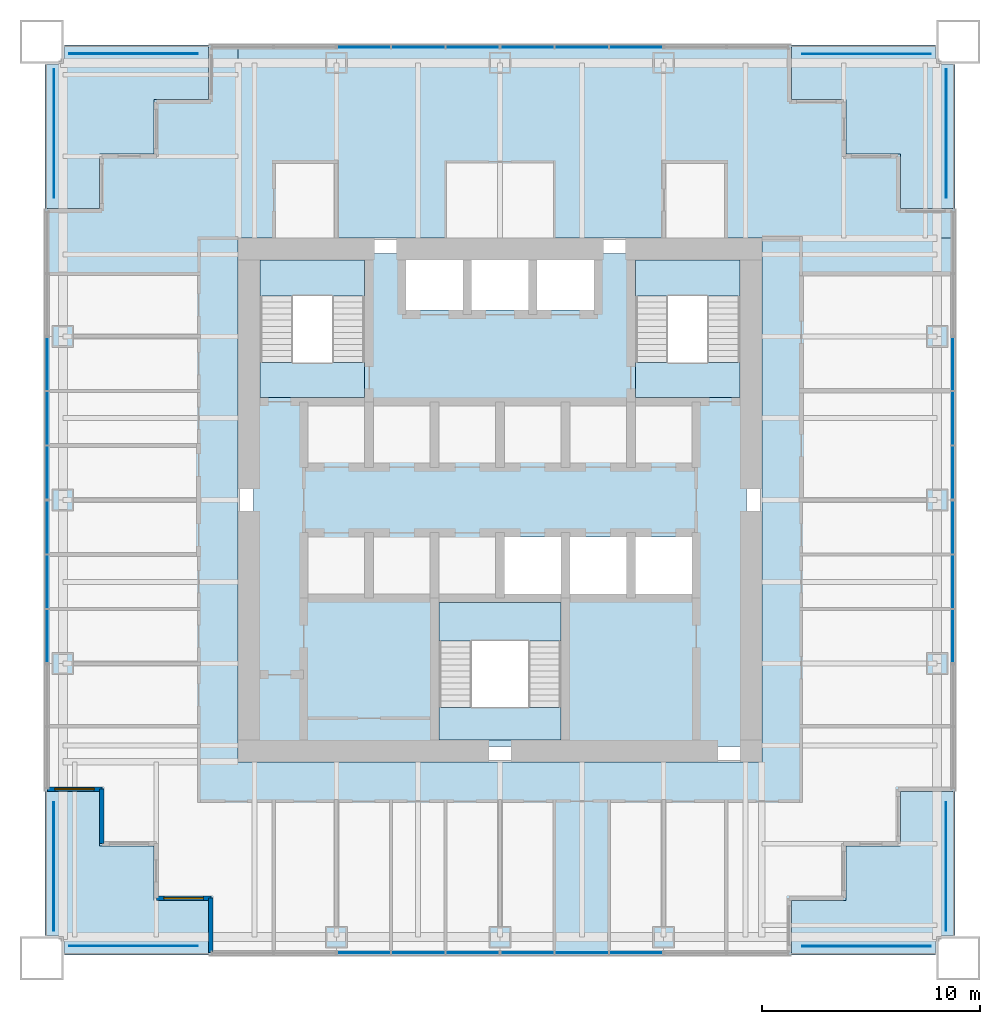
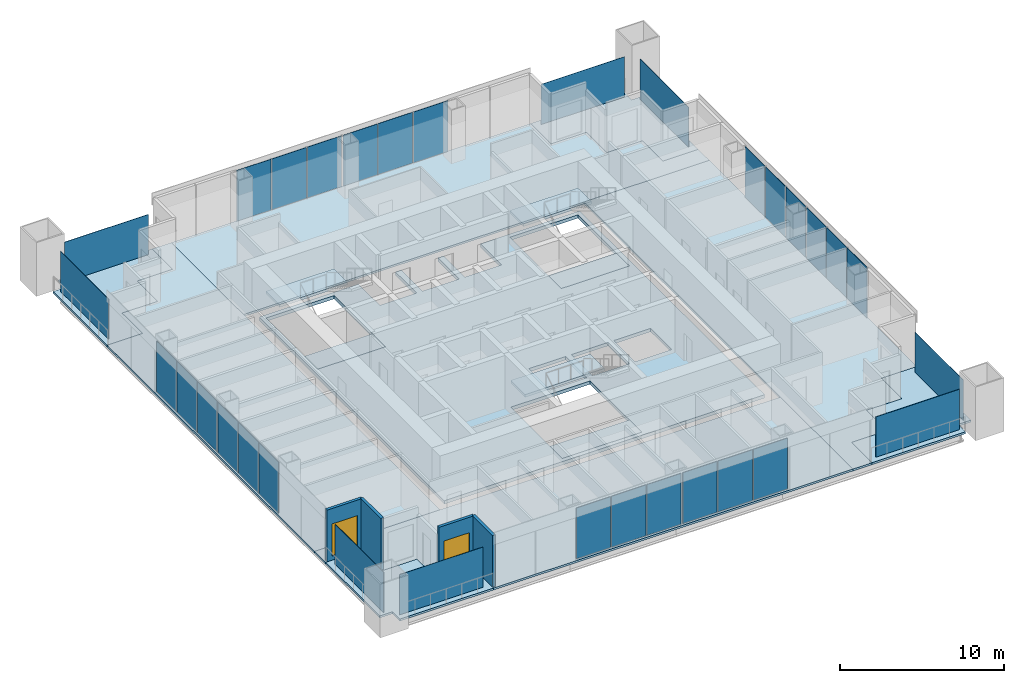
# One storey, part 8 of 14: 32 plates, 15 slabs, 4 walls, 2 windows, 2 openings, 11 elements without a shape of their own.
"""IFC4 building model written with IfcOpenShell, lengths in metres."""

from ifc_helpers import new_model, si_unit, direction, frame, frame_2d, origin, origin_2d, place, context, subcontext, project, spatial, polyline, rectangle, outline, extrude, material, layer, layer_set, type_object, element, fill, aggregate, save


model = new_model("IFC4")

# Units and contexts
model_context = context("Model", 3, precision=1e-05, world=origin(), true_north=direction((0.0, 1.0)))
body_context = subcontext(model_context, "Body", "Model", "MODEL_VIEW")
ifc_project = project(units=[si_unit("LENGTHUNIT", "METRE"), si_unit("AREAUNIT", "SQUARE_METRE"), si_unit("VOLUMEUNIT", "CUBIC_METRE"), si_unit("PLANEANGLEUNIT", "RADIAN"), si_unit("MASSUNIT", "GRAM", prefix="KILO")], contexts=[model_context])

# Site, building, storey
site_placement = place(None, origin())
site = spatial("IfcSite", under=ifc_project, at=site_placement, CompositionType="ELEMENT")
building_placement = place(site_placement, origin())
building = spatial("IfcBuilding", under=site, at=building_placement, Name="Tarangal Relay Tower", CompositionType="ELEMENT")
storey_placement = place(building_placement, frame((0.0, 0.0, 303.89990234375)))
storey = spatial("IfcBuildingStorey", under=building, at=storey_placement, Name="L67", CompositionType="ELEMENT", Elevation=303.89990234375)

# Slabs
ifc_material_1 = material(Name="Concrete fc' 35 MPa", Category="concrete")
ifc_layer_1 = layer(ifc_material_1, 0.25)
ifc_layer_set_1 = layer_set([ifc_layer_1], Name="Core floor slab 250")
slab_type_1 = type_object("IfcSlabType", Name="Core floor slab 250", PredefinedType="FLOOR", material=ifc_layer_set_1)
slab_1_placement = place(storey_placement, frame((0.0, 0.0, -0.25)))
element("IfcSlab", 1, at=slab_1_placement, inside=storey, type_object=slab_type_1, Name="Core floor slab L67", PredefinedType="FLOOR", context=body_context, shape_type="SweptSolid", body=[
    extrude(outline(polyline([(11.300048828125, 11.300048828125), (11.300048828125, -11.300048828125), (-11.300048828125, -11.300048828125), (-11.300048828125, 11.300048828125), (-4.300048828125, 11.300048828125), (-4.300048828125, 8.699951171875), (-1.699951171875, 8.699951171875), (-1.699951171875, 11.300048828125), (-1.300048828125, 11.300048828125), (-1.300048828125, 8.699951171875), (1.300048828125, 8.699951171875), (1.300048828125, 11.300048828125), (1.699951171875, 11.300048828125), (1.699951171875, 8.699951171875), (4.300048828125, 8.699951171875), (4.300048828125, 11.300048828125), (11.300048828125, 11.300048828125)]), holes=[polyline([(2.800048828125, -4.699951171875), (-2.800048828125, -4.699951171875), (-2.800048828125, -11.0), (2.800048828125, -11.0), (2.800048828125, -4.699951171875)]), polyline([(2.800048828125, -1.699951171875), (0.199951171875, -1.699951171875), (0.199951171875, -4.300048828125), (2.800048828125, -4.300048828125), (2.800048828125, -1.699951171875)]), polyline([(5.800048828125, -1.699951171875), (3.199951171875, -1.699951171875), (3.199951171875, -4.300048828125), (5.800048828125, -4.300048828125), (5.800048828125, -1.699951171875)]), polyline([(8.800048828125, -1.699951171875), (6.199951171875, -1.699951171875), (6.199951171875, -4.300048828125), (8.800048828125, -4.300048828125), (8.800048828125, -1.699951171875)]), polyline([(-6.199951171875, 11.0), (-11.0, 11.0), (-11.0, 4.699951171875), (-6.199951171875, 4.699951171875), (-6.199951171875, 11.0)]), polyline([(11.0, 11.0), (6.199951171875, 11.0), (6.199951171875, 4.699951171875), (11.0, 4.699951171875), (11.0, 11.0)])]), origin(), (0.0, 0.0, 1.0), 0.25),
])
ifc_layer_2 = layer(ifc_material_1, 0.14990234375)
ifc_layer_set_2 = layer_set([ifc_layer_2], Name="Floor slab 150")
slab_type_2 = type_object("IfcSlabType", Name="Floor slab 150", PredefinedType="FLOOR", material=ifc_layer_set_2)
slab_2_placement = place(storey_placement, frame((0.0, 0.0, -0.14990234375)))
element("IfcSlab", 2, at=slab_2_placement, inside=storey, type_object=slab_type_2, Name="Floor slab FS3 L67 north bay", PredefinedType="FLOOR", context=body_context, shape_type="SweptSolid", body=[
    extrude(outline(polyline([(13.35009765625, 20.85009765625), (13.35009765625, 18.35009765625), (15.85009765625, 18.35009765625), (15.85009765625, 15.85009765625), (18.35009765625, 15.85009765625), (18.35009765625, 13.35009765625), (20.85009765625, 13.35009765625), (20.85009765625, 12.0), (-12.0, 12.0), (-12.0, 20.85009765625), (13.35009765625, 20.85009765625)])), origin(), (0.0, 0.0, 1.0), 0.14990234375),
])
slab_3_placement = place(storey_placement, frame((0.0, 0.0, -0.14990234375)))
element("IfcSlab", 3, at=slab_3_placement, inside=storey, type_object=slab_type_2, Name="Floor slab FS3 L67 east bay", PredefinedType="FLOOR", context=body_context, shape_type="SweptSolid", body=[
    extrude(outline(polyline([(20.85009765625, -13.35009765625), (18.35009765625, -13.35009765625), (18.35009765625, -15.85009765625), (15.85009765625, -15.85009765625), (15.85009765625, -18.35009765625), (13.35009765625, -18.35009765625), (13.35009765625, -20.85009765625), (12.0, -20.85009765625), (12.0, 12.0), (20.85009765625, 12.0), (20.85009765625, -13.35009765625)])), origin(), (0.0, 0.0, 1.0), 0.14990234375),
])
slab_4_placement = place(storey_placement, frame((0.0, 0.0, -0.14990234375)))
element("IfcSlab", 4, at=slab_4_placement, inside=storey, type_object=slab_type_2, Name="Floor slab FS3 L67 south bay", PredefinedType="FLOOR", context=body_context, shape_type="SweptSolid", body=[
    extrude(outline(polyline([(-13.35009765625, -20.85009765625), (-13.35009765625, -18.35009765625), (-15.85009765625, -18.35009765625), (-15.85009765625, -15.85009765625), (-18.35009765625, -15.85009765625), (-18.35009765625, -13.35009765625), (-20.85009765625, -13.35009765625), (-20.85009765625, -12.0), (12.0, -12.0), (12.0, -20.85009765625), (-13.35009765625, -20.85009765625)])), origin(), (0.0, 0.0, 1.0), 0.14990234375),
])
slab_5_placement = place(storey_placement, frame((0.0, 0.0, -0.14990234375)))
element("IfcSlab", 5, at=slab_5_placement, inside=storey, type_object=slab_type_2, Name="Floor slab FS3 L67 west bay", PredefinedType="FLOOR", context=body_context, shape_type="SweptSolid", body=[
    extrude(outline(polyline([(-12.0, 20.85009765625), (-12.0, -12.0), (-20.85009765625, -12.0), (-20.85009765625, 13.35009765625), (-18.35009765625, 13.35009765625), (-18.35009765625, 15.85009765625), (-15.85009765625, 15.85009765625), (-15.85009765625, 18.35009765625), (-13.35009765625, 18.35009765625), (-13.35009765625, 20.85009765625), (-12.0, 20.85009765625)])), origin(), (0.0, 0.0, 1.0), 0.14990234375),
])

# Curtain wall, plates
ifc_material_2 = material(Name="Unitised curtain wall, dark glass and black aluminium", Category="aluminium")
curtain_wall_type = type_object("IfcCurtainWallType", Name="Curtain wall CW-B", PredefinedType="USERDEFINED", material=ifc_material_2)
curtain_wall_1_placement = place(storey_placement, origin())
curtain_wall_1 = element("IfcCurtainWall", 6, at=curtain_wall_1_placement, inside=storey, type_object=curtain_wall_type, Name="Curtain wall CW-B N facade L67", ObjectType="UNITISED CURTAIN WALL", PredefinedType="USERDEFINED")
ifc_material_3 = material(Name="Dark tinted insulated glass unit", Category="glass")
ifc_layer_3 = layer(ifc_material_3, 0.030029296875)
ifc_layer_set_3 = layer_set([ifc_layer_3], Name="Glazed panel CW-B 30")
plate_type_1 = type_object("IfcPlateType", Name="Glazed panel CW-B 30", PredefinedType="CURTAIN_PANEL", material=ifc_layer_set_3)
plate_1_placement = place(storey_placement, frame((-6.235107421875, 20.75, 0.06005859375), z_axis=(0.0, 0.0, 1.0), x_axis=(1.0, 0.0, 0.0)))
plate_1 = element("IfcPlate", 7, at=plate_1_placement, type_object=plate_type_1, Name="CW-B panel 1.1", PredefinedType="CURTAIN_PANEL", context=body_context, shape_type="SweptSolid", body=[
    extrude(rectangle(XDim=2.409912109375, YDim=0.030029296875, at=origin_2d()), origin(), (0.0, 0.0, 1.0), 3.7900390625),
])
plate_2_placement = place(storey_placement, frame((-3.75, 20.75, 0.06005859375), z_axis=(0.0, 0.0, 1.0), x_axis=(1.0, 0.0, 0.0)))
plate_2 = element("IfcPlate", 8, at=plate_2_placement, type_object=plate_type_1, Name="CW-B panel 2.1", PredefinedType="CURTAIN_PANEL", context=body_context, shape_type="SweptSolid", body=[
    extrude(rectangle(XDim=2.43994140625, YDim=0.030029296875, at=origin_2d()), origin(), (0.0, 0.0, 1.0), 3.7900390625),
])
plate_3_placement = place(storey_placement, frame((-1.264892578125, 20.75, 0.06005859375), z_axis=(0.0, 0.0, 1.0), x_axis=(1.0, 0.0, 0.0)))
plate_3 = element("IfcPlate", 9, at=plate_3_placement, type_object=plate_type_1, Name="CW-B panel 3.1", PredefinedType="CURTAIN_PANEL", context=body_context, shape_type="SweptSolid", body=[
    extrude(rectangle(XDim=2.409912109375, YDim=0.030029296875, at=origin_2d()), origin(), (0.0, 0.0, 1.0), 3.7900390625),
])
aggregate(curtain_wall_1, [plate_1, plate_2, plate_3])

curtain_wall_2_placement = place(storey_placement, origin())
curtain_wall_2 = element("IfcCurtainWall", 10, at=curtain_wall_2_placement, inside=storey, type_object=curtain_wall_type, Name="Curtain wall CW-B N facade L67", ObjectType="UNITISED CURTAIN WALL", PredefinedType="USERDEFINED")
plate_4_placement = place(storey_placement, frame((1.264892578125, 20.75, 0.06005859375), z_axis=(0.0, 0.0, 1.0), x_axis=(1.0, 0.0, 0.0)))
plate_4 = element("IfcPlate", 11, at=plate_4_placement, type_object=plate_type_1, Name="CW-B panel 1.1", PredefinedType="CURTAIN_PANEL", context=body_context, shape_type="SweptSolid", body=[
    extrude(rectangle(XDim=2.409912109375, YDim=0.030029296875, at=origin_2d()), origin(), (0.0, 0.0, 1.0), 3.7900390625),
])
plate_5_placement = place(storey_placement, frame((3.75, 20.75, 0.06005859375), z_axis=(0.0, 0.0, 1.0), x_axis=(1.0, 0.0, 0.0)))
plate_5 = element("IfcPlate", 12, at=plate_5_placement, type_object=plate_type_1, Name="CW-B panel 2.1", PredefinedType="CURTAIN_PANEL", context=body_context, shape_type="SweptSolid", body=[
    extrude(rectangle(XDim=2.43994140625, YDim=0.030029296875, at=origin_2d()), origin(), (0.0, 0.0, 1.0), 3.7900390625),
])
plate_6_placement = place(storey_placement, frame((6.235107421875, 20.75, 0.06005859375), z_axis=(0.0, 0.0, 1.0), x_axis=(1.0, 0.0, 0.0)))
plate_6 = element("IfcPlate", 13, at=plate_6_placement, type_object=plate_type_1, Name="CW-B panel 3.1", PredefinedType="CURTAIN_PANEL", context=body_context, shape_type="SweptSolid", body=[
    extrude(rectangle(XDim=2.409912109375, YDim=0.030029296875, at=origin_2d()), origin(), (0.0, 0.0, 1.0), 3.7900390625),
])
aggregate(curtain_wall_2, [plate_4, plate_5, plate_6])

curtain_wall_3_placement = place(storey_placement, origin())
curtain_wall_3 = element("IfcCurtainWall", 14, at=curtain_wall_3_placement, inside=storey, type_object=curtain_wall_type, Name="Curtain wall CW-B E facade L67", ObjectType="UNITISED CURTAIN WALL", PredefinedType="USERDEFINED")
plate_7_placement = place(storey_placement, frame((20.75, 6.235107421875, 0.06005859375), z_axis=(0.0, 0.0, 1.0), x_axis=(0.0, -1.0, 0.0)))
plate_7 = element("IfcPlate", 15, at=plate_7_placement, type_object=plate_type_1, Name="CW-B panel 1.1", PredefinedType="CURTAIN_PANEL", context=body_context, shape_type="SweptSolid", body=[
    extrude(rectangle(XDim=2.409912109375, YDim=0.030029296875, at=origin_2d()), origin(), (0.0, 0.0, 1.0), 3.7900390625),
])
plate_8_placement = place(storey_placement, frame((20.75, 3.75, 0.06005859375), z_axis=(0.0, 0.0, 1.0), x_axis=(0.0, -1.0, 0.0)))
plate_8 = element("IfcPlate", 16, at=plate_8_placement, type_object=plate_type_1, Name="CW-B panel 2.1", PredefinedType="CURTAIN_PANEL", context=body_context, shape_type="SweptSolid", body=[
    extrude(rectangle(XDim=2.43994140625, YDim=0.030029296875, at=origin_2d()), origin(), (0.0, 0.0, 1.0), 3.7900390625),
])
plate_9_placement = place(storey_placement, frame((20.75, 1.264892578125, 0.06005859375), z_axis=(0.0, 0.0, 1.0), x_axis=(0.0, -1.0, 0.0)))
plate_9 = element("IfcPlate", 17, at=plate_9_placement, type_object=plate_type_1, Name="CW-B panel 3.1", PredefinedType="CURTAIN_PANEL", context=body_context, shape_type="SweptSolid", body=[
    extrude(rectangle(XDim=2.409912109375, YDim=0.030029296875, at=origin_2d()), origin(), (0.0, 0.0, 1.0), 3.7900390625),
])
aggregate(curtain_wall_3, [plate_7, plate_8, plate_9])

curtain_wall_4_placement = place(storey_placement, origin())
curtain_wall_4 = element("IfcCurtainWall", 18, at=curtain_wall_4_placement, inside=storey, type_object=curtain_wall_type, Name="Curtain wall CW-B E facade L67", ObjectType="UNITISED CURTAIN WALL", PredefinedType="USERDEFINED")
plate_10_placement = place(storey_placement, frame((20.75, -1.264892578125, 0.06005859375), z_axis=(0.0, 0.0, 1.0), x_axis=(0.0, -1.0, 0.0)))
plate_10 = element("IfcPlate", 19, at=plate_10_placement, type_object=plate_type_1, Name="CW-B panel 1.1", PredefinedType="CURTAIN_PANEL", context=body_context, shape_type="SweptSolid", body=[
    extrude(rectangle(XDim=2.409912109375, YDim=0.030029296875, at=origin_2d()), origin(), (0.0, 0.0, 1.0), 3.7900390625),
])
plate_11_placement = place(storey_placement, frame((20.75, -3.75, 0.06005859375), z_axis=(0.0, 0.0, 1.0), x_axis=(0.0, -1.0, 0.0)))
plate_11 = element("IfcPlate", 20, at=plate_11_placement, type_object=plate_type_1, Name="CW-B panel 2.1", PredefinedType="CURTAIN_PANEL", context=body_context, shape_type="SweptSolid", body=[
    extrude(rectangle(XDim=2.43994140625, YDim=0.030029296875, at=origin_2d()), origin(), (0.0, 0.0, 1.0), 3.7900390625),
])
plate_12_placement = place(storey_placement, frame((20.75, -6.235107421875, 0.06005859375), z_axis=(0.0, 0.0, 1.0), x_axis=(0.0, -1.0, 0.0)))
plate_12 = element("IfcPlate", 21, at=plate_12_placement, type_object=plate_type_1, Name="CW-B panel 3.1", PredefinedType="CURTAIN_PANEL", context=body_context, shape_type="SweptSolid", body=[
    extrude(rectangle(XDim=2.409912109375, YDim=0.030029296875, at=origin_2d()), origin(), (0.0, 0.0, 1.0), 3.7900390625),
])
aggregate(curtain_wall_4, [plate_10, plate_11, plate_12])

curtain_wall_5_placement = place(storey_placement, origin())
curtain_wall_5 = element("IfcCurtainWall", 22, at=curtain_wall_5_placement, inside=storey, type_object=curtain_wall_type, Name="Curtain wall CW-B S facade L67", ObjectType="UNITISED CURTAIN WALL", PredefinedType="USERDEFINED")
plate_13_placement = place(storey_placement, frame((6.235107421875, -20.75, 0.06005859375), z_axis=(0.0, 0.0, 1.0), x_axis=(-1.0, 0.0, 0.0)))
plate_13 = element("IfcPlate", 23, at=plate_13_placement, type_object=plate_type_1, Name="CW-B panel 1.1", PredefinedType="CURTAIN_PANEL", context=body_context, shape_type="SweptSolid", body=[
    extrude(rectangle(XDim=2.409912109375, YDim=0.030029296875, at=origin_2d()), origin(), (0.0, 0.0, 1.0), 3.7900390625),
])
plate_14_placement = place(storey_placement, frame((3.75, -20.75, 0.06005859375), z_axis=(0.0, 0.0, 1.0), x_axis=(-1.0, 0.0, 0.0)))
plate_14 = element("IfcPlate", 24, at=plate_14_placement, type_object=plate_type_1, Name="CW-B panel 2.1", PredefinedType="CURTAIN_PANEL", context=body_context, shape_type="SweptSolid", body=[
    extrude(rectangle(XDim=2.43994140625, YDim=0.030029296875, at=origin_2d()), origin(), (0.0, 0.0, 1.0), 3.7900390625),
])
plate_15_placement = place(storey_placement, frame((1.264892578125, -20.75, 0.06005859375), z_axis=(0.0, 0.0, 1.0), x_axis=(-1.0, 0.0, 0.0)))
plate_15 = element("IfcPlate", 25, at=plate_15_placement, type_object=plate_type_1, Name="CW-B panel 3.1", PredefinedType="CURTAIN_PANEL", context=body_context, shape_type="SweptSolid", body=[
    extrude(rectangle(XDim=2.409912109375, YDim=0.030029296875, at=origin_2d()), origin(), (0.0, 0.0, 1.0), 3.7900390625),
])
aggregate(curtain_wall_5, [plate_13, plate_14, plate_15])

curtain_wall_6_placement = place(storey_placement, origin())
curtain_wall_6 = element("IfcCurtainWall", 26, at=curtain_wall_6_placement, inside=storey, type_object=curtain_wall_type, Name="Curtain wall CW-B S facade L67", ObjectType="UNITISED CURTAIN WALL", PredefinedType="USERDEFINED")
plate_16_placement = place(storey_placement, frame((-1.264892578125, -20.75, 0.06005859375), z_axis=(0.0, 0.0, 1.0), x_axis=(-1.0, 0.0, 0.0)))
plate_16 = element("IfcPlate", 27, at=plate_16_placement, type_object=plate_type_1, Name="CW-B panel 1.1", PredefinedType="CURTAIN_PANEL", context=body_context, shape_type="SweptSolid", body=[
    extrude(rectangle(XDim=2.409912109375, YDim=0.030029296875, at=origin_2d()), origin(), (0.0, 0.0, 1.0), 3.7900390625),
])
plate_17_placement = place(storey_placement, frame((-3.75, -20.75, 0.06005859375), z_axis=(0.0, 0.0, 1.0), x_axis=(-1.0, 0.0, 0.0)))
plate_17 = element("IfcPlate", 28, at=plate_17_placement, type_object=plate_type_1, Name="CW-B panel 2.1", PredefinedType="CURTAIN_PANEL", context=body_context, shape_type="SweptSolid", body=[
    extrude(rectangle(XDim=2.43994140625, YDim=0.030029296875, at=origin_2d()), origin(), (0.0, 0.0, 1.0), 3.7900390625),
])
plate_18_placement = place(storey_placement, frame((-6.235107421875, -20.75, 0.06005859375), z_axis=(0.0, 0.0, 1.0), x_axis=(-1.0, 0.0, 0.0)))
plate_18 = element("IfcPlate", 29, at=plate_18_placement, type_object=plate_type_1, Name="CW-B panel 3.1", PredefinedType="CURTAIN_PANEL", context=body_context, shape_type="SweptSolid", body=[
    extrude(rectangle(XDim=2.409912109375, YDim=0.030029296875, at=origin_2d()), origin(), (0.0, 0.0, 1.0), 3.7900390625),
])
aggregate(curtain_wall_6, [plate_16, plate_17, plate_18])

curtain_wall_7_placement = place(storey_placement, origin())
curtain_wall_7 = element("IfcCurtainWall", 30, at=curtain_wall_7_placement, inside=storey, type_object=curtain_wall_type, Name="Curtain wall CW-B W facade L67", ObjectType="UNITISED CURTAIN WALL", PredefinedType="USERDEFINED")
plate_19_placement = place(storey_placement, frame((-20.75, -6.235107421875, 0.06005859375), z_axis=(0.0, 0.0, 1.0), x_axis=(0.0, 1.0, 0.0)))
plate_19 = element("IfcPlate", 31, at=plate_19_placement, type_object=plate_type_1, Name="CW-B panel 1.1", PredefinedType="CURTAIN_PANEL", context=body_context, shape_type="SweptSolid", body=[
    extrude(rectangle(XDim=2.409912109375, YDim=0.030029296875, at=origin_2d()), origin(), (0.0, 0.0, 1.0), 3.7900390625),
])
plate_20_placement = place(storey_placement, frame((-20.75, -3.75, 0.06005859375), z_axis=(0.0, 0.0, 1.0), x_axis=(0.0, 1.0, 0.0)))
plate_20 = element("IfcPlate", 32, at=plate_20_placement, type_object=plate_type_1, Name="CW-B panel 2.1", PredefinedType="CURTAIN_PANEL", context=body_context, shape_type="SweptSolid", body=[
    extrude(rectangle(XDim=2.43994140625, YDim=0.030029296875, at=origin_2d()), origin(), (0.0, 0.0, 1.0), 3.7900390625),
])
plate_21_placement = place(storey_placement, frame((-20.75, -1.264892578125, 0.06005859375), z_axis=(0.0, 0.0, 1.0), x_axis=(0.0, 1.0, 0.0)))
plate_21 = element("IfcPlate", 33, at=plate_21_placement, type_object=plate_type_1, Name="CW-B panel 3.1", PredefinedType="CURTAIN_PANEL", context=body_context, shape_type="SweptSolid", body=[
    extrude(rectangle(XDim=2.409912109375, YDim=0.030029296875, at=origin_2d()), origin(), (0.0, 0.0, 1.0), 3.7900390625),
])
aggregate(curtain_wall_7, [plate_19, plate_20, plate_21])

curtain_wall_8_placement = place(storey_placement, origin())
curtain_wall_8 = element("IfcCurtainWall", 34, at=curtain_wall_8_placement, inside=storey, type_object=curtain_wall_type, Name="Curtain wall CW-B W facade L67", ObjectType="UNITISED CURTAIN WALL", PredefinedType="USERDEFINED")
plate_22_placement = place(storey_placement, frame((-20.75, 1.264892578125, 0.06005859375), z_axis=(0.0, 0.0, 1.0), x_axis=(0.0, 1.0, 0.0)))
plate_22 = element("IfcPlate", 35, at=plate_22_placement, type_object=plate_type_1, Name="CW-B panel 1.1", PredefinedType="CURTAIN_PANEL", context=body_context, shape_type="SweptSolid", body=[
    extrude(rectangle(XDim=2.409912109375, YDim=0.030029296875, at=origin_2d()), origin(), (0.0, 0.0, 1.0), 3.7900390625),
])
plate_23_placement = place(storey_placement, frame((-20.75, 3.75, 0.06005859375), z_axis=(0.0, 0.0, 1.0), x_axis=(0.0, 1.0, 0.0)))
plate_23 = element("IfcPlate", 36, at=plate_23_placement, type_object=plate_type_1, Name="CW-B panel 2.1", PredefinedType="CURTAIN_PANEL", context=body_context, shape_type="SweptSolid", body=[
    extrude(rectangle(XDim=2.43994140625, YDim=0.030029296875, at=origin_2d()), origin(), (0.0, 0.0, 1.0), 3.7900390625),
])
plate_24_placement = place(storey_placement, frame((-20.75, 6.235107421875, 0.06005859375), z_axis=(0.0, 0.0, 1.0), x_axis=(0.0, 1.0, 0.0)))
plate_24 = element("IfcPlate", 37, at=plate_24_placement, type_object=plate_type_1, Name="CW-B panel 3.1", PredefinedType="CURTAIN_PANEL", context=body_context, shape_type="SweptSolid", body=[
    extrude(rectangle(XDim=2.409912109375, YDim=0.030029296875, at=origin_2d()), origin(), (0.0, 0.0, 1.0), 3.7900390625),
])
aggregate(curtain_wall_8, [plate_22, plate_23, plate_24])

# Plates
ifc_material_4 = material(Name="Black stainless steel cable trellis with climbing planting", Category="steel")
ifc_layer_4 = layer(ifc_material_4, 0.030029296875)
ifc_layer_set_4 = layer_set([ifc_layer_4], Name="Planted trellis screen")
plate_type_2 = type_object("IfcPlateType", Name="Planted trellis screen", PredefinedType="SHEET", material=ifc_layer_set_4)
for number, where, z_axis, x_axis, name in (
    (38, (20.449951171875, 16.800048828125, 0.0), (0.0, 0.0, 1.0), (0.0, -1.0, 0.0), "Planted trellis SC2 NE L67"),
    (39, (16.800048828125, -20.449951171875, 0.0), (0.0, 0.0, 1.0), (-1.0, 0.0, 0.0), "Planted trellis SC2 SE L67"),
    (40, (-20.449951171875, -16.800048828125, 0.0), (0.0, 0.0, 1.0), (0.0, 1.0, 0.0), "Planted trellis SC2 SW L67"),
    (41, (-16.800048828125, 20.449951171875, 0.0), (0.0, 0.0, 1.0), (1.0, 0.0, 0.0), "Planted trellis SC2 NW L67"),
):
    element("IfcPlate", number, at=place(storey_placement, frame(where, z_axis=z_axis, x_axis=x_axis)), inside=storey, type_object=plate_type_2, Name=name, PredefinedType="SHEET", context=body_context, shape_type="SweptSolid", body=[
        extrude(rectangle(XDim=5.89990234375, YDim=0.030029296875, at=origin_2d()), origin(), (0.0, 0.0, 1.0), 3.0),
    ])

# Stair, slabs
ifc_material_5 = material(Name="Steel ASTM A992 stair flight", Category="steel")
stair_type = type_object("IfcStairType", Name="Core stair 1500", PredefinedType="HALF_TURN_STAIR", material=ifc_material_5)
stair_1_placement = place(storey_placement, origin())
stair_1 = element("IfcStair", 42, at=stair_1_placement, inside=storey, type_object=stair_type, Name="Stair ST-A L67", PredefinedType="HALF_TURN_STAIR")
ifc_layer_5 = layer(ifc_material_1, 0.199951171875)
ifc_layer_set_5 = layer_set([ifc_layer_5], Name="Stair landing 200")
slab_type_3 = type_object("IfcSlabType", Name="Stair landing 200", PredefinedType="LANDING", material=ifc_layer_set_5)
slab_6_placement = place(storey_placement, frame((0.0, 0.0, -0.199951171875)))
slab_6 = element("IfcSlab", 43, at=slab_6_placement, type_object=slab_type_3, Name="ST-A landing 1", PredefinedType="LANDING", context=body_context, shape_type="SweptSolid", body=[
    extrude(outline(polyline([(-11.0, 4.699951171875), (-6.199951171875, 4.699951171875), (-6.199951171875, 6.300048828125), (-11.0, 6.300048828125), (-11.0, 4.699951171875)])), origin(), (0.0, 0.0, 1.0), 0.199951171875),
])
slab_7_placement = place(storey_placement, frame((0.0, 0.0, 1.800048828125)))
slab_7 = element("IfcSlab", 44, at=slab_7_placement, type_object=slab_type_3, Name="ST-A landing 2", PredefinedType="LANDING", context=body_context, shape_type="SweptSolid", body=[
    extrude(outline(polyline([(-11.0, 9.346923828125), (-6.199951171875, 9.346923828125), (-6.199951171875, 11.0), (-11.0, 11.0), (-11.0, 9.346923828125)])), origin(), (0.0, 0.0, 1.0), 0.199951171875),
])
aggregate(stair_1, [slab_6, slab_7])

stair_2_placement = place(storey_placement, origin())
stair_2 = element("IfcStair", 45, at=stair_2_placement, inside=storey, type_object=stair_type, Name="Stair ST-B L67", PredefinedType="HALF_TURN_STAIR")
slab_8_placement = place(storey_placement, frame((0.0, 0.0, -0.199951171875)))
slab_8 = element("IfcSlab", 46, at=slab_8_placement, type_object=slab_type_3, Name="ST-B landing 1", PredefinedType="LANDING", context=body_context, shape_type="SweptSolid", body=[
    extrude(outline(polyline([(6.199951171875, 4.699951171875), (11.0, 4.699951171875), (11.0, 6.300048828125), (6.199951171875, 6.300048828125), (6.199951171875, 4.699951171875)])), origin(), (0.0, 0.0, 1.0), 0.199951171875),
])
slab_9_placement = place(storey_placement, frame((0.0, 0.0, 1.800048828125)))
slab_9 = element("IfcSlab", 47, at=slab_9_placement, type_object=slab_type_3, Name="ST-B landing 2", PredefinedType="LANDING", context=body_context, shape_type="SweptSolid", body=[
    extrude(outline(polyline([(6.199951171875, 9.346923828125), (11.0, 9.346923828125), (11.0, 11.0), (6.199951171875, 11.0), (6.199951171875, 9.346923828125)])), origin(), (0.0, 0.0, 1.0), 0.199951171875),
])
aggregate(stair_2, [slab_8, slab_9])

stair_3_placement = place(storey_placement, origin())
stair_3 = element("IfcStair", 48, at=stair_3_placement, inside=storey, type_object=stair_type, Name="Stair ST-C L67", PredefinedType="HALF_TURN_STAIR")
slab_10_placement = place(storey_placement, frame((0.0, 0.0, -0.199951171875)))
slab_10 = element("IfcSlab", 49, at=slab_10_placement, type_object=slab_type_3, Name="ST-C landing 1", PredefinedType="LANDING", context=body_context, shape_type="SweptSolid", body=[
    extrude(outline(polyline([(-2.800048828125, -11.0), (2.800048828125, -11.0), (2.800048828125, -9.5), (-2.800048828125, -9.5), (-2.800048828125, -11.0)])), origin(), (0.0, 0.0, 1.0), 0.199951171875),
])
slab_11_placement = place(storey_placement, frame((0.0, 0.0, 1.800048828125)))
slab_11 = element("IfcSlab", 50, at=slab_11_placement, type_object=slab_type_3, Name="ST-C landing 2", PredefinedType="LANDING", context=body_context, shape_type="SweptSolid", body=[
    extrude(outline(polyline([(-2.800048828125, -6.452880859375), (2.800048828125, -6.452880859375), (2.800048828125, -4.699951171875), (-2.800048828125, -4.699951171875), (-2.800048828125, -6.452880859375)])), origin(), (0.0, 0.0, 1.0), 0.199951171875),
])
aggregate(stair_3, [slab_10, slab_11])

# Plates
ifc_material_6 = material(Name="Perforated black aluminium screen", Category="aluminium")
ifc_layer_6 = layer(ifc_material_6, 0.02001953125)
ifc_layer_set_6 = layer_set([ifc_layer_6], Name="Terrace screen panel")
plate_type_3 = type_object("IfcPlateType", Name="Terrace screen panel", PredefinedType="SHEET", material=ifc_layer_set_6)
for number, where, z_axis, x_axis, name in (
    (51, (16.800048828125, 20.449951171875, 0.0), (0.0, 0.0, 1.0), (1.0, 0.0, 0.0), "Terrace screen SC1 NE L67"),
    (52, (20.449951171875, -16.800048828125, 0.0), (0.0, 0.0, 1.0), (0.0, -1.0, 0.0), "Terrace screen SC1 SE L67"),
    (53, (-16.800048828125, -20.449951171875, 0.0), (0.0, 0.0, 1.0), (-1.0, 0.0, 0.0), "Terrace screen SC1 SW L67"),
    (54, (-20.449951171875, 16.800048828125, 0.0), (0.0, 0.0, 1.0), (0.0, 1.0, 0.0), "Terrace screen SC1 NW L67"),
):
    element("IfcPlate", number, at=place(storey_placement, frame(where, z_axis=z_axis, x_axis=x_axis)), inside=storey, type_object=plate_type_3, Name=name, PredefinedType="SHEET", context=body_context, shape_type="SweptSolid", body=[
        extrude(rectangle(XDim=5.89990234375, YDim=0.02001953125, at=origin_2d()), origin(), (0.0, 0.0, 1.0), 3.0),
    ])

# Slabs
ifc_layer_7 = layer(ifc_material_1, 0.14990234375)
ifc_layer_set_7 = layer_set([ifc_layer_7], Name="Terrace slab 150")
slab_type_4 = type_object("IfcSlabType", Name="Terrace slab 150", PredefinedType="FLOOR", material=ifc_layer_set_7)
slab_12_placement = place(storey_placement, frame((0.0, 0.0, -0.14990234375)))
element("IfcSlab", 55, at=slab_12_placement, inside=storey, type_object=slab_type_4, Name="Corner terrace NE L67", PredefinedType="FLOOR", context=body_context, shape_type="SweptSolid", body=[
    extrude(outline(polyline([(13.35009765625, 20.85009765625), (13.35009765625, 18.35009765625), (15.85009765625, 18.35009765625), (15.85009765625, 15.85009765625), (18.35009765625, 15.85009765625), (18.35009765625, 13.35009765625), (20.85009765625, 13.35009765625), (20.85009765625, 19.949951171875), (19.949951171875, 19.949951171875), (19.949951171875, 20.85009765625), (13.35009765625, 20.85009765625)])), origin(), (0.0, 0.0, 1.0), 0.14990234375),
])
slab_13_placement = place(storey_placement, frame((0.0, 0.0, -0.14990234375)))
element("IfcSlab", 56, at=slab_13_placement, inside=storey, type_object=slab_type_4, Name="Corner terrace SE L67", PredefinedType="FLOOR", context=body_context, shape_type="SweptSolid", body=[
    extrude(outline(polyline([(20.85009765625, -13.35009765625), (18.35009765625, -13.35009765625), (18.35009765625, -15.85009765625), (15.85009765625, -15.85009765625), (15.85009765625, -18.35009765625), (13.35009765625, -18.35009765625), (13.35009765625, -20.85009765625), (19.949951171875, -20.85009765625), (19.949951171875, -19.949951171875), (20.85009765625, -19.949951171875), (20.85009765625, -13.35009765625)])), origin(), (0.0, 0.0, 1.0), 0.14990234375),
])
slab_14_placement = place(storey_placement, frame((0.0, 0.0, -0.14990234375)))
element("IfcSlab", 57, at=slab_14_placement, inside=storey, type_object=slab_type_4, Name="Corner terrace SW L67", PredefinedType="FLOOR", context=body_context, shape_type="SweptSolid", body=[
    extrude(outline(polyline([(-13.35009765625, -20.85009765625), (-13.35009765625, -18.35009765625), (-15.85009765625, -18.35009765625), (-15.85009765625, -15.85009765625), (-18.35009765625, -15.85009765625), (-18.35009765625, -13.35009765625), (-20.85009765625, -13.35009765625), (-20.85009765625, -19.949951171875), (-19.949951171875, -19.949951171875), (-19.949951171875, -20.85009765625), (-13.35009765625, -20.85009765625)])), origin(), (0.0, 0.0, 1.0), 0.14990234375),
])
slab_15_placement = place(storey_placement, frame((0.0, 0.0, -0.14990234375)))
element("IfcSlab", 58, at=slab_15_placement, inside=storey, type_object=slab_type_4, Name="Corner terrace NW L67", PredefinedType="FLOOR", context=body_context, shape_type="SweptSolid", body=[
    extrude(outline(polyline([(-20.85009765625, 13.35009765625), (-18.35009765625, 13.35009765625), (-18.35009765625, 15.85009765625), (-15.85009765625, 15.85009765625), (-15.85009765625, 18.35009765625), (-13.35009765625, 18.35009765625), (-13.35009765625, 20.85009765625), (-19.949951171875, 20.85009765625), (-19.949951171875, 19.949951171875), (-20.85009765625, 19.949951171875), (-20.85009765625, 13.35009765625)])), origin(), (0.0, 0.0, 1.0), 0.14990234375),
])

# Wall
ifc_material_7 = material(Name="Black metal clad insulated wall", Category="steel")
ifc_layer_8 = layer(ifc_material_7, 0.199951171875)
ifc_layer_set_8 = layer_set([ifc_layer_8], Name="Corner wall metal clad 200")
wall_type = type_object("IfcWallType", Name="Corner wall metal clad 200", PredefinedType="SOLIDWALL", material=ifc_layer_set_8)
wall_1_placement = place(storey_placement, frame((-13.25, -20.75, 0.0), z_axis=(0.0, 0.0, 1.0), x_axis=(0.0, 1.0, 0.0)))
element("IfcWall", 59, at=wall_1_placement, inside=storey, type_object=wall_type, Name="Facade wall S facade L67", PredefinedType="SOLIDWALL", context=body_context, shape_type="SweptSolid", body=[
    extrude(rectangle(XDim=2.5, YDim=0.199951171875, at=frame_2d((1.25, 0.0))), origin(), (0.0, 0.0, 1.0), 3.85009765625),
])

# Wall, opening, window
wall_2_placement = place(storey_placement, frame((-13.25, -18.25, 0.0), z_axis=(0.0, 0.0, 1.0), x_axis=(-1.0, 0.0, 0.0)))
wall_2 = element("IfcWall", 60, at=wall_2_placement, inside=storey, type_object=wall_type, Name="Facade wall S facade L67", PredefinedType="SOLIDWALL", context=body_context, shape_type="SweptSolid", body=[
    extrude(rectangle(XDim=2.5, YDim=0.199951171875, at=frame_2d((1.25, 0.0))), origin(), (0.0, 0.0, 1.0), 3.85009765625),
])
opening_1_placement = place(wall_2_placement, frame((0.35009765625, 0.0, 0.300048828125)))
opening_1 = element("IfcOpeningElement", 61, at=opening_1_placement, cuts=wall_2, Name="Opening WN2", PredefinedType="OPENING", context=body_context, shape_type="SweptSolid", body=[
    extrude(rectangle(XDim=1.800048828125, YDim=2.39990234375, at=frame_2d((0.89990234375, 1.199951171875))), frame((0.0, 0.10986328125, 0.0), z_axis=(0.0, -1.0, 0.0), x_axis=(1.0, 0.0, 0.0)), (0.0, 0.0, 1.0), 0.219970703125),
])
ifc_material_8 = material(Name="Dark tinted double glazing in black aluminium frame", Category="aluminium")
window_type = type_object("IfcWindowType", Name="Corner window 1800 x 2400", PartitioningType="SINGLE_PANEL", PredefinedType="WINDOW", material=ifc_material_8)
window_1_placement = place(opening_1_placement, origin())
window_1 = element("IfcWindow", 62, at=window_1_placement, inside=storey, type_object=window_type, Name="Corner window WN2 S facade L67", OverallHeight=2.39990234375, OverallWidth=1.800048828125, PartitioningType="SINGLE_PANEL", PredefinedType="WINDOW", context=body_context, shape_type="SweptSolid", body=[
    extrude(rectangle(XDim=1.800048828125, YDim=2.39990234375, at=frame_2d((0.89990234375, 1.199951171875))), frame((0.0, 0.030029296875, 0.0), z_axis=(0.0, -1.0, 0.0), x_axis=(1.0, 0.0, 0.0)), (0.0, 0.0, 1.0), 0.06005859375),
])
fill(opening_1, window_1)

# Wall
wall_3_placement = place(storey_placement, frame((-18.25, -15.75, 0.0), z_axis=(0.0, 0.0, 1.0), x_axis=(0.0, 1.0, 0.0)))
element("IfcWall", 63, at=wall_3_placement, inside=storey, type_object=wall_type, Name="Facade wall S facade L67", PredefinedType="SOLIDWALL", context=body_context, shape_type="SweptSolid", body=[
    extrude(rectangle(XDim=2.5, YDim=0.199951171875, at=frame_2d((1.25, 0.0))), origin(), (0.0, 0.0, 1.0), 3.85009765625),
])

# Wall, opening, window
wall_4_placement = place(storey_placement, frame((-18.25, -13.25, 0.0), z_axis=(0.0, 0.0, 1.0), x_axis=(-1.0, 0.0, 0.0)))
wall_4 = element("IfcWall", 64, at=wall_4_placement, inside=storey, type_object=wall_type, Name="Facade wall S facade L67", PredefinedType="SOLIDWALL", context=body_context, shape_type="SweptSolid", body=[
    extrude(rectangle(XDim=2.5, YDim=0.199951171875, at=frame_2d((1.25, 0.0))), origin(), (0.0, 0.0, 1.0), 3.85009765625),
])
opening_2_placement = place(wall_4_placement, frame((0.35009765625, 0.0, 0.300048828125)))
opening_2 = element("IfcOpeningElement", 65, at=opening_2_placement, cuts=wall_4, Name="Opening WN2", PredefinedType="OPENING", context=body_context, shape_type="SweptSolid", body=[
    extrude(rectangle(XDim=1.800048828125, YDim=2.39990234375, at=frame_2d((0.89990234375, 1.199951171875))), frame((0.0, 0.10986328125, 0.0), z_axis=(0.0, -1.0, 0.0), x_axis=(1.0, 0.0, 0.0)), (0.0, 0.0, 1.0), 0.219970703125),
])
window_2_placement = place(opening_2_placement, origin())
window_2 = element("IfcWindow", 66, at=window_2_placement, inside=storey, type_object=window_type, Name="Corner window WN2 S facade L67", OverallHeight=2.39990234375, OverallWidth=1.800048828125, PartitioningType="SINGLE_PANEL", PredefinedType="WINDOW", context=body_context, shape_type="SweptSolid", body=[
    extrude(rectangle(XDim=1.800048828125, YDim=2.39990234375, at=frame_2d((0.89990234375, 1.199951171875))), frame((0.0, 0.030029296875, 0.0), z_axis=(0.0, -1.0, 0.0), x_axis=(1.0, 0.0, 0.0)), (0.0, 0.0, 1.0), 0.06005859375),
])
fill(opening_2, window_2)

save(model, "model.ifc")
